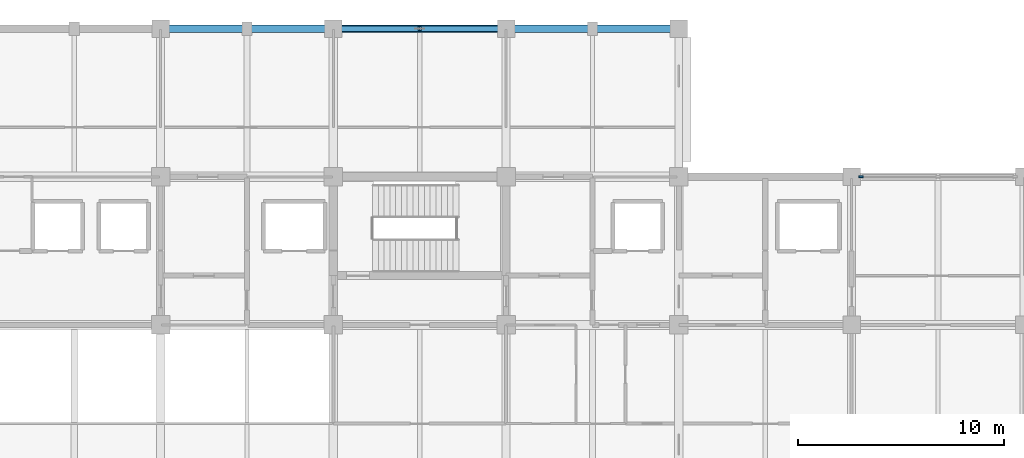
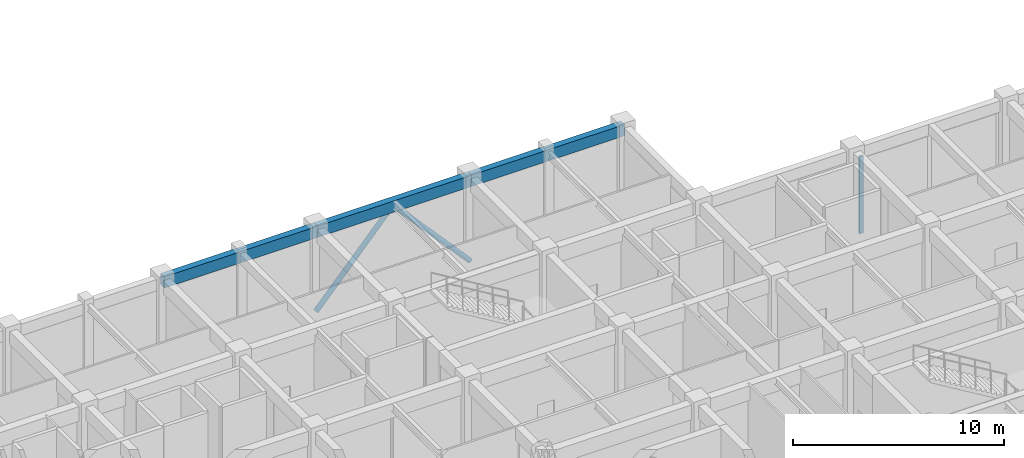
# One storey, part 19 of 68: 3 beams, 3 members, 1 element without a shape of its own.
"""IFC4 building model written with IfcOpenShell, lengths in metres."""

from ifc_helpers import new_model, si_unit, direction, frame, origin, origin_2d, place, context, subcontext, project, spatial, rectangle, hollow_circle, extrude, material, layer, layer_set, material_profile, profile_set, type_object, element, aggregate, save


model = new_model("IFC4")

# Units and contexts
model_context = context("Model", 3, precision=1e-05, world=origin(), true_north=direction((0.0, 1.0)))
body_context = subcontext(model_context, "Body", "Model", "MODEL_VIEW")
ifc_project = project(units=[si_unit("LENGTHUNIT", "METRE"), si_unit("AREAUNIT", "SQUARE_METRE"), si_unit("VOLUMEUNIT", "CUBIC_METRE"), si_unit("PLANEANGLEUNIT", "RADIAN"), si_unit("MASSUNIT", "GRAM", prefix="KILO")], contexts=[model_context])

# Site, building, storey
site_placement = place(None, origin())
site = spatial("IfcSite", under=ifc_project, at=site_placement, CompositionType="ELEMENT")
building_placement = place(site_placement, origin())
building = spatial("IfcBuilding", under=site, at=building_placement, Name="Chengyuan Square Courthouse", CompositionType="ELEMENT")
storey_placement = place(building_placement, frame((0.0, 0.0, 5.39990234375)))
storey = spatial("IfcBuildingStorey", under=building, at=storey_placement, Name="L02", CompositionType="ELEMENT", Elevation=5.39990234375)

# Beams
ifc_material_1 = material(Name="Concrete C40", Category="concrete")
ifc_material_profile_1 = material_profile(ifc_material_1, rectangle(XDim=0.35009765625, YDim=0.64990234375, at=origin_2d()), Name="RC-BM-350x650")
ifc_profile_set_1 = profile_set([ifc_material_profile_1], Name="Concrete C40")
beam_type = type_object("IfcBeamType", Name="BM-03", PredefinedType="SPANDREL", material=ifc_profile_set_1)
beam_1_placement = place(storey_placement, frame((92.39990234375, 115.199951171875, 4.795166015625), z_axis=(1.0, 0.0, 0.0), x_axis=(0.0, 1.0, 0.0)))
element("IfcBeam", 1, at=beam_1_placement, inside=storey, type_object=beam_type, Name="Girder BM-L02-2224", PredefinedType="SPANDREL", context=body_context, shape_type="SweptSolid", body=[
    extrude(rectangle(XDim=0.35009765625, YDim=0.64990234375, at=origin_2d()), origin(), (0.0, 0.0, 1.0), 8.400146484375),
])
beam_2_placement = place(storey_placement, frame((100.800048828125, 115.199951171875, 4.795166015625), z_axis=(1.0, 0.0, 0.0), x_axis=(0.0, 1.0, 0.0)))
element("IfcBeam", 2, at=beam_2_placement, inside=storey, type_object=beam_type, Name="Girder BM-L02-2225", PredefinedType="SPANDREL", context=body_context, shape_type="SweptSolid", body=[
    extrude(rectangle(XDim=0.35009765625, YDim=0.64990234375, at=origin_2d()), origin(), (0.0, 0.0, 1.0), 8.39990234375),
])
beam_3_placement = place(storey_placement, frame((109.199951171875, 115.199951171875, 4.795166015625), z_axis=(1.0, 0.0, 0.0), x_axis=(0.0, 1.0, 0.0)))
element("IfcBeam", 3, at=beam_3_placement, inside=storey, type_object=beam_type, Name="Girder BM-L02-2226", PredefinedType="SPANDREL", context=body_context, shape_type="SweptSolid", body=[
    extrude(rectangle(XDim=0.35009765625, YDim=0.64990234375, at=origin_2d()), origin(), (0.0, 0.0, 1.0), 8.400146484375),
])

# Members
ifc_material_2 = material(Name="Steel Q355B", Category="steel")
ifc_material_profile_2 = material_profile(ifc_material_2, hollow_circle(Radius=0.136474609375, WallThickness=0.010009765625, at=origin_2d()), Name="CHS 273x10")
ifc_profile_set_2 = profile_set([ifc_material_profile_2], Name="Steel Q355B")
member_type_1 = type_object("IfcMemberType", Name="BR-01", PredefinedType="BRACE", material=ifc_profile_set_2)
for number, where, z_axis, x_axis, name in (
    (4, (100.800048828125, 115.199951171875, 0.10009765625), (0.668702684729, 0.0, 0.743529904871), (0.0, 1.0, 0.0), "Steel Chevron Brace BR-L02-007"),
    (5, (109.199951171875, 115.199951171875, 0.10009765625), (-0.668702684729, 0.0, 0.743529904871), (0.0, -1.0, 0.0), "Steel Chevron Brace BR-L02-008"),
):
    element("IfcMember", number, at=place(storey_placement, frame(where, z_axis=z_axis, x_axis=x_axis)), inside=storey, type_object=member_type_1, Name=name, PredefinedType="BRACE", context=body_context, shape_type="SweptSolid", body=[
        extrude(hollow_circle(Radius=0.136474609375, WallThickness=0.010009765625, at=origin_2d()), origin(), (0.0, 0.0, 1.0), 6.28076171875),
    ])

# Curtain wall, member
ifc_material_3 = material(Name="Unitised Aluminium and Triple Low-E Glass", Category="aluminium")
ifc_layer = layer(ifc_material_3, 0.219970703125)
ifc_layer_set = layer_set([ifc_layer], Name="Unitised Aluminium and Triple Low-E Glass")
curtain_wall_type = type_object("IfcCurtainWallType", Name="CW-04", PredefinedType="USERDEFINED", material=ifc_layer_set)
curtain_wall_placement = place(storey_placement, origin())
curtain_wall = element("IfcCurtainWall", 6, at=curtain_wall_placement, inside=storey, type_object=curtain_wall_type, Name="Unitised Curtain Wall CW-L02-073", ObjectType="UNITISED CURTAIN WALL", PredefinedType="USERDEFINED")
ifc_material_4 = material(Name="Aluminium 6063-T6 Frame", Category="aluminium")
ifc_material_profile_3 = material_profile(ifc_material_4, rectangle(XDim=0.080078125, YDim=0.219970703125, at=origin_2d()), Name="CW-MUL-80x220")
ifc_profile_set_3 = profile_set([ifc_material_profile_3], Name="Aluminium 6063-T6 Frame")
member_type_2 = type_object("IfcMemberType", Name="CWM-04", PredefinedType="MULLION", material=ifc_profile_set_3)
member_placement = place(storey_placement, frame((126.465087890625, 108.0, 0.0), z_axis=(0.0, 0.0, 1.0), x_axis=(0.0, 1.0, 0.0)))
member = element("IfcMember", 7, at=member_placement, type_object=member_type_2, Name="CW-04 mullion 1", PredefinedType="MULLION", context=body_context, shape_type="SweptSolid", body=[
    extrude(rectangle(XDim=0.080078125, YDim=0.219970703125, at=origin_2d()), origin(), (0.0, 0.0, 1.0), 4.47021484375),
])
aggregate(curtain_wall, [member])

save(model, "model.ifc")
